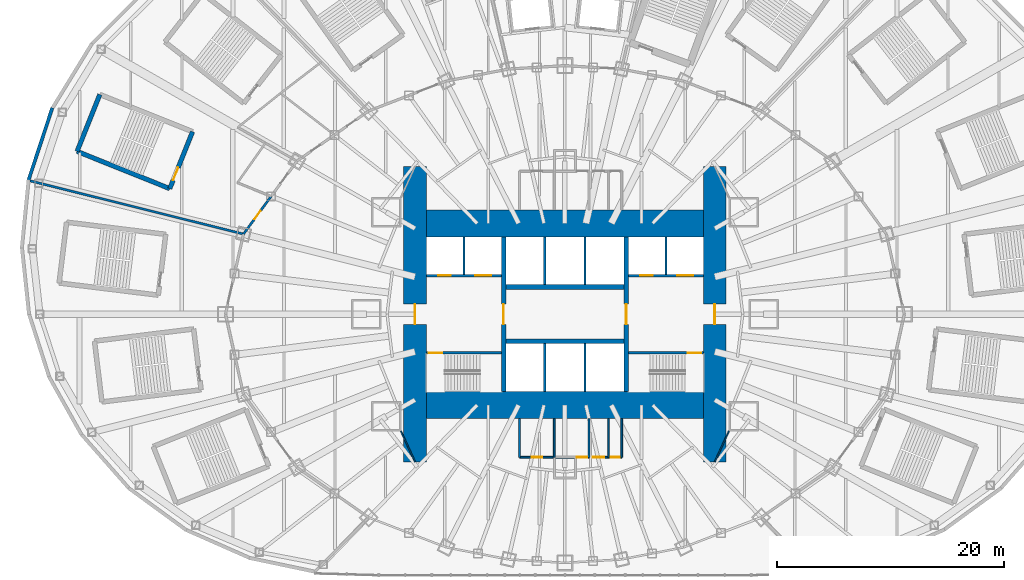
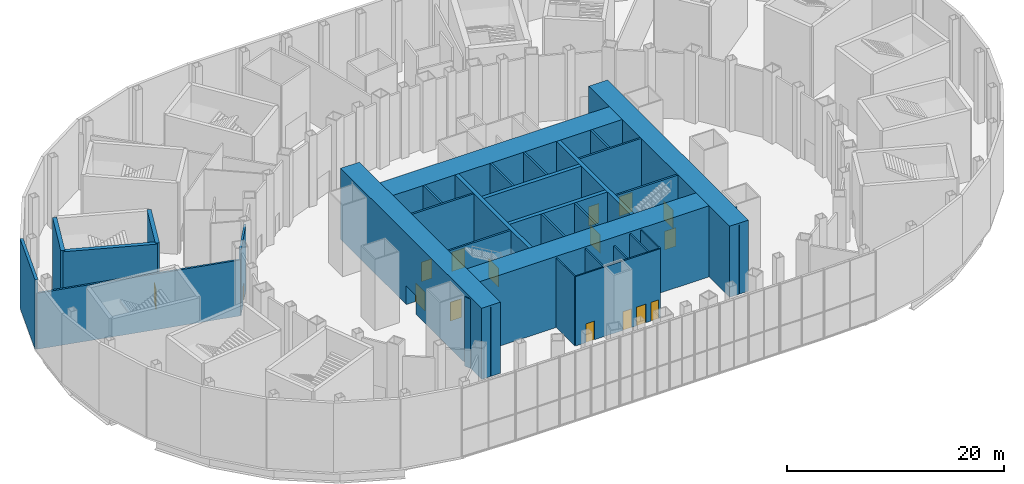
# One storey, part 14 of 74: 32 walls, 16 doors, 16 openings.
"""IFC4 building model written with IfcOpenShell, lengths in metres."""

import ifcopenshell
import ifcopenshell.guid

model = None  # the IFC model being written
_history = None  # IfcOwnerHistory: only IFC2X3 demands one
_inside = {}  # id of a spatial element -> (the spatial element, [elements in it])
_under = {}  # id of a project, library or spatial element -> (it, [spatial elements below it])
_declared = {}  # id of a project -> (the project, [libraries it declares])
_typed = {}  # id of a type object -> (the type object, [elements of that type])
_made_of = {}  # id of a material, layer set ... -> (it, [elements and type objects made of it])


def new_model(schema):
    """Start an empty IFC model of exactly this schema.

    Asked for "IFC4X3", IfcOpenShell would pick the latest addendum, in which some entities
    have other attributes; the version numbers below select the first issue.
    IFC2X3 requires an IfcOwnerHistory on every rooted entity: one is made here for all.
    """
    global model, _history
    if schema == "IFC4X3":
        model = ifcopenshell.file(schema_version=(4, 3, 0, 0))
    else:
        model = ifcopenshell.file(schema=schema)
    _inside.clear()
    _under.clear()
    _declared.clear()
    _typed.clear()
    _made_of.clear()
    _history = None
    if model.schema == "IFC2X3":
        org = make("IfcOrganization", Name="unknown")
        user = make(
            "IfcPersonAndOrganization",
            ThePerson=make("IfcPerson", FamilyName="unknown"),
            TheOrganization=org,
        )
        app = make(
            "IfcApplication",
            ApplicationDeveloper=org,
            Version="unknown",
            ApplicationFullName="unknown",
            ApplicationIdentifier="unknown",
        )
        _history = make(
            "IfcOwnerHistory",
            OwningUser=user,
            OwningApplication=app,
            ChangeAction="ADDED",
            CreationDate=0,
        )
    return model


def make(cls, **values):
    """One entity of the class cls with the attributes given. An attribute that is None is left unset."""
    return model.create_entity(
        cls, **{name: value for name, value in values.items() if value is not None}
    )


def rooted(cls, **values):
    """An entity with a GlobalId (a new one), such as an element, a storey or a relation."""
    return make(cls, GlobalId=ifcopenshell.guid.new(), OwnerHistory=_history, **values)


def si_unit(unit_type, name, prefix=None):
    """IfcSIUnit, for example si_unit("LENGTHUNIT", "METRE", prefix="MILLI")."""
    return make("IfcSIUnit", UnitType=unit_type, Prefix=prefix, Name=name)


def assignment(units):
    """IfcUnitAssignment: the units of a project."""
    return None if units is None else make("IfcUnitAssignment", Units=units)


def point(xyz):
    """IfcCartesianPoint."""
    return None if xyz is None else make("IfcCartesianPoint", Coordinates=xyz)


def direction(xyz):
    """IfcDirection."""
    return None if xyz is None else make("IfcDirection", DirectionRatios=xyz)


def frame(location, z_axis=None, x_axis=None):
    """IfcAxis2Placement3D, a coordinate frame: its origin and axes. An axis left out is left unset."""
    return make(
        "IfcAxis2Placement3D",
        Location=point(location),
        Axis=direction(z_axis),
        RefDirection=direction(x_axis),
    )


def frame_2d(location, x_axis=None):
    """IfcAxis2Placement2D, a coordinate frame in the plane: its origin and x axis."""
    return make(
        "IfcAxis2Placement2D", Location=point(location), RefDirection=direction(x_axis)
    )


def origin():
    """The frame at (0, 0, 0) with its axes left unset."""
    return frame((0.0, 0.0, 0.0))


def place(relative_to, where):
    """IfcLocalPlacement: puts the frame where relative to a parent placement (None: the world)."""
    return make(
        "IfcLocalPlacement", PlacementRelTo=relative_to, RelativePlacement=where
    )


def context(
    kind, dimensions, precision=None, world=None, true_north=None, identifier=None
):
    """IfcGeometricRepresentationContext, for example the 3D "Model" context."""
    return make(
        "IfcGeometricRepresentationContext",
        ContextIdentifier=identifier,
        ContextType=kind,
        CoordinateSpaceDimension=dimensions,
        Precision=precision,
        WorldCoordinateSystem=world,
        TrueNorth=true_north,
    )


def subcontext(parent, identifier, kind, view, scale=None):
    """IfcGeometricRepresentationSubContext, for example "Body" below "Model"."""
    return make(
        "IfcGeometricRepresentationSubContext",
        ContextIdentifier=identifier,
        ContextType=kind,
        ParentContext=parent,
        TargetScale=scale,
        TargetView=view,
    )


def project(units=None, contexts=None):
    """IfcProject with its units and contexts."""
    return rooted(
        "IfcProject",
        Name="project",
        RepresentationContexts=contexts,
        UnitsInContext=assignment(units),
    )


def spatial(cls, under=None, at=None, **own):
    """A site, building, storey or space (cls), placed at a placement, below another one or the project."""
    s = rooted(cls, ObjectPlacement=at, **own)
    if under is not None:
        _under.setdefault(under.id(), (under, []))[1].append(s)
    return s


def profile(cls, at=None, kind="AREA", **sizes):
    """A parametric profile (cls). Its sizes go by their IFC names, for example OverallWidth=200.0."""
    return make(cls, ProfileType=kind, Position=at, **sizes)


def rectangle(**sizes):
    """IfcRectangleProfileDef."""
    return profile("IfcRectangleProfileDef", **sizes)


def extrude(swept, where, along, depth):
    """IfcExtrudedAreaSolid: the profile swept, set in the frame where, extruded along a direction by depth."""
    return make(
        "IfcExtrudedAreaSolid",
        SweptArea=swept,
        Position=where,
        ExtrudedDirection=direction(along),
        Depth=depth,
    )


def shape(context_of_items, identifier, shape_type, items):
    """IfcShapeRepresentation: the items that make up one representation, for example the "Body"."""
    return make(
        "IfcShapeRepresentation",
        ContextOfItems=context_of_items,
        RepresentationIdentifier=identifier,
        RepresentationType=shape_type,
        Items=items,
    )


def material(Name=None, Category=None):
    """IfcMaterial."""
    return make("IfcMaterial", Name=Name, Category=Category)


def layer(
    of_material, thickness, ventilated=None, Name=None, Category=None, Priority=None
):
    """IfcMaterialLayer: one layer of a wall or slab, of a material (None: an air gap)."""
    return make(
        "IfcMaterialLayer",
        Material=of_material,
        LayerThickness=thickness,
        IsVentilated=ventilated,
        Name=Name,
        Category=Category,
        Priority=Priority,
    )


def layer_set(layers, Name=None):
    """IfcMaterialLayerSet."""
    return make("IfcMaterialLayerSet", MaterialLayers=layers, LayerSetName=Name)


def made_of(thing, what):
    """Note that an element or type object is made of a material, layer set ...; save() writes the relation."""
    if what is not None:
        _made_of.setdefault(what.id(), (what, []))[1].append(thing)
    return thing


def type_object(cls, material=None, **own):
    """A type object (cls), such as IfcWallType, which elements share."""
    return made_of(rooted(cls, **own), material)


def element(
    cls,
    number,
    at=None,
    inside=None,
    cuts=None,
    type_object=None,
    material=None,
    context=None,
    identifier="Body",
    shape_type=None,
    held_by="IfcProductDefinitionShape",
    body=None,
    shapes=None,
    **own,
):
    """One element of the class cls, such as IfcWall. Its Tag is "e" and its number.

    at: its placement. inside: the storey or other place that contains it. cuts: it is an
    opening in that element (IfcRelVoidsElement). A single representation is given by context,
    identifier, shape_type and body (its items); several are given by shapes. held_by: the class
    of the entity that holds the representations. save() writes the other relations.
    """
    e = rooted(cls, Tag="e%d" % number, ObjectPlacement=at, **own)
    if body is not None:
        shapes = [shape(context, identifier, shape_type, body)]
    if shapes is not None:
        e.Representation = make(held_by, Representations=shapes)
    if inside is not None:
        _inside.setdefault(inside.id(), (inside, []))[1].append(e)
    if cuts is not None:
        rooted(
            "IfcRelVoidsElement", RelatingBuildingElement=cuts, RelatedOpeningElement=e
        )
    if type_object is not None:
        _typed.setdefault(type_object.id(), (type_object, []))[1].append(e)
    return made_of(e, material)


def fill(opening, filler):
    """IfcRelFillsElement: the door or window that sits in an opening."""
    return rooted(
        "IfcRelFillsElement",
        RelatingOpeningElement=opening,
        RelatedBuildingElement=filler,
    )


def aggregate(whole, parts):
    """IfcRelAggregates: a whole, such as a stair, and the parts it consists of."""
    return rooted("IfcRelAggregates", RelatingObject=whole, RelatedObjects=parts)


def save(model, path):
    """Write the relations noted so far, then the file.

    IfcRelAggregates (storeys below a building ...), IfcRelContainedInSpatialStructure (elements
    in a storey), IfcRelDefinesByType, IfcRelAssociatesMaterial and IfcRelDeclares: one each for
    every whole, place, type object, material and project.
    """
    for whole, parts in _under.values():
        aggregate(whole, parts)
    for where, things in _inside.values():
        rooted(
            "IfcRelContainedInSpatialStructure",
            RelatedElements=things,
            RelatingStructure=where,
        )
    for kind, things in _typed.values():
        rooted("IfcRelDefinesByType", RelatedObjects=things, RelatingType=kind)
    for what, things in _made_of.values():
        rooted("IfcRelAssociatesMaterial", RelatedObjects=things, RelatingMaterial=what)
    for by, libraries in _declared.values():
        rooted("IfcRelDeclares", RelatingContext=by, RelatedDefinitions=libraries)
    model.write(path)


model = new_model("IFC4")

# Units and contexts
model_context = context("Model", 3, precision=1e-05, world=origin(), true_north=direction((0.0, 1.0)))
body_context = subcontext(model_context, "Body", "Model", "MODEL_VIEW")
ifc_project = project(units=[si_unit("LENGTHUNIT", "METRE"), si_unit("AREAUNIT", "SQUARE_METRE"), si_unit("VOLUMEUNIT", "CUBIC_METRE"), si_unit("PLANEANGLEUNIT", "RADIAN"), si_unit("MASSUNIT", "GRAM", prefix="KILO")], contexts=[model_context])

# Site, building, storey
site_placement = place(None, origin())
site = spatial("IfcSite", under=ifc_project, at=site_placement, CompositionType="ELEMENT")
building_placement = place(site_placement, origin())
building = spatial("IfcBuilding", under=site, at=building_placement, Name="Lantaw Convention Tower", CompositionType="ELEMENT")
storey_placement = place(building_placement, frame((0.0, 0.0, 6.5)))
storey = spatial("IfcBuildingStorey", under=building, at=storey_placement, Name="L01", CompositionType="ELEMENT", Elevation=6.5)

# Wall, opening, door
ifc_material_1 = material(Name="Concrete C60/75", Category="concrete")
ifc_layer_1 = layer(ifc_material_1, 0.199951171875)
ifc_layer_set_1 = layer_set([ifc_layer_1], Name="Core wall 200")
wall_type_1 = type_object("IfcWallType", Name="Core wall 200", PredefinedType="SHEAR", material=ifc_layer_set_1)
wall_1_placement = place(storey_placement, frame((5.60009765625, -3.39990234375, 0.0), z_axis=(0.0, 0.0, 1.0), x_axis=(1.0, 0.0, 0.0)))
wall_1 = element("IfcWall", 1, at=wall_1_placement, inside=storey, type_object=wall_type_1, Name="Core wall ES", PredefinedType="SHEAR", context=body_context, shape_type="SweptSolid", body=[
    extrude(rectangle(XDim=6.599853515625, YDim=0.199951171875, at=frame_2d((3.2998046875, 0.0))), origin(), (0.0, 0.0, 1.0), 8.0),
])
opening_1_placement = place(wall_1_placement, frame((5.199951171875, 0.0, 0.0)))
opening_1 = element("IfcOpeningElement", 2, at=opening_1_placement, cuts=wall_1, Name="Opening L01.03", PredefinedType="OPENING", context=body_context, shape_type="SweptSolid", body=[
    extrude(rectangle(XDim=1.199951171875, YDim=2.10009765625, at=frame_2d((0.60009765625, 1.050048828125))), frame((0.0, 0.10986328125, 0.0), z_axis=(0.0, -1.0, 0.0), x_axis=(1.0, 0.0, 0.0)), (0.0, 0.0, 1.0), 0.219970703125),
])
ifc_material_2 = material(Name="Steel, fire rated", Category="steel")
door_type_1 = type_object("IfcDoorType", Name="Stair door FD90", OperationType="SINGLE_SWING_RIGHT", PredefinedType="DOOR", material=ifc_material_2)
door_1_placement = place(opening_1_placement, origin())
door_1 = element("IfcDoor", 3, at=door_1_placement, inside=storey, type_object=door_type_1, Name="Exit stair door", OperationType="SINGLE_SWING_RIGHT", OverallHeight=2.10009765625, OverallWidth=1.199951171875, PredefinedType="DOOR", context=body_context, shape_type="SweptSolid", body=[
    extrude(rectangle(XDim=1.199951171875, YDim=2.10009765625, at=frame_2d((0.60009765625, 1.050048828125))), frame((0.0, 0.02490234375, 0.0), z_axis=(0.0, -1.0, 0.0), x_axis=(1.0, 0.0, 0.0)), (0.0, 0.0, 1.0), 0.050048828125),
])
fill(opening_1, door_1)

wall_2_placement = place(storey_placement, frame((-5.60009765625, -3.39990234375, 0.0), z_axis=(0.0, 0.0, 1.0), x_axis=(-1.0, 0.0, 0.0)))
wall_2 = element("IfcWall", 4, at=wall_2_placement, inside=storey, type_object=wall_type_1, Name="Core wall WS", PredefinedType="SHEAR", context=body_context, shape_type="SweptSolid", body=[
    extrude(rectangle(XDim=6.599853515625, YDim=0.199951171875, at=frame_2d((3.2998046875, 0.0))), origin(), (0.0, 0.0, 1.0), 8.0),
])
opening_2_placement = place(wall_2_placement, frame((5.199951171875, 0.0, 0.0)))
opening_2 = element("IfcOpeningElement", 5, at=opening_2_placement, cuts=wall_2, Name="Opening L01.04", PredefinedType="OPENING", context=body_context, shape_type="SweptSolid", body=[
    extrude(rectangle(XDim=1.199951171875, YDim=2.10009765625, at=frame_2d((0.60009765625, 1.050048828125))), frame((0.0, 0.10986328125, 0.0), z_axis=(0.0, -1.0, 0.0), x_axis=(1.0, 0.0, 0.0)), (0.0, 0.0, 1.0), 0.219970703125),
])
door_2_placement = place(opening_2_placement, origin())
door_2 = element("IfcDoor", 6, at=door_2_placement, inside=storey, type_object=door_type_1, Name="Exit stair door", OperationType="SINGLE_SWING_RIGHT", OverallHeight=2.10009765625, OverallWidth=1.199951171875, PredefinedType="DOOR", context=body_context, shape_type="SweptSolid", body=[
    extrude(rectangle(XDim=1.199951171875, YDim=2.10009765625, at=frame_2d((0.60009765625, 1.050048828125))), frame((0.0, 0.02490234375, 0.0), z_axis=(0.0, -1.0, 0.0), x_axis=(1.0, 0.0, 0.0)), (0.0, 0.0, 1.0), 0.050048828125),
])
fill(opening_2, door_2)

ifc_layer_2 = layer(ifc_material_1, 2.0)
ifc_layer_set_2 = layer_set([ifc_layer_2], Name="Core wall 2000")
wall_type_2 = type_object("IfcWallType", Name="Core wall 2000", PredefinedType="SHEAR", material=ifc_layer_set_2)
wall_3_placement = place(storey_placement, frame((13.199951171875, -13.0, 0.0), z_axis=(0.0, 0.0, 1.0), x_axis=(0.0, 1.0, 0.0)))
wall_3 = element("IfcWall", 7, at=wall_3_placement, inside=storey, type_object=wall_type_2, Name="Core wall E", PredefinedType="SHEAR", context=body_context, shape_type="SweptSolid", body=[
    extrude(rectangle(XDim=26.0, YDim=2.0, at=frame_2d((13.0, 0.0))), origin(), (0.0, 0.0, 1.0), 8.0),
])
opening_3_placement = place(wall_3_placement, frame((12.10009765625, 0.0, 0.0)))
opening_3 = element("IfcOpeningElement", 8, at=opening_3_placement, cuts=wall_3, Name="Opening L01.05", PredefinedType="OPENING", context=body_context, shape_type="SweptSolid", body=[
    extrude(rectangle(XDim=1.800048828125, YDim=2.10009765625, at=frame_2d((0.89990234375, 1.050048828125))), frame((0.0, 1.010009765625, 0.0), z_axis=(0.0, -1.0, 0.0), x_axis=(1.0, 0.0, 0.0)), (0.0, 0.0, 1.0), 2.02001953125),
])
door_type_2 = type_object("IfcDoorType", Name="Lobby double door FD90", OperationType="DOUBLE_DOOR_DOUBLE_SWING", PredefinedType="DOOR", material=ifc_material_2)
door_3_placement = place(opening_3_placement, origin())
door_3 = element("IfcDoor", 9, at=door_3_placement, inside=storey, type_object=door_type_2, Name="Firefighting lobby door", OperationType="DOUBLE_DOOR_DOUBLE_SWING", OverallHeight=2.10009765625, OverallWidth=1.800048828125, PredefinedType="DOOR", context=body_context, shape_type="SweptSolid", body=[
    extrude(rectangle(XDim=1.800048828125, YDim=2.10009765625, at=frame_2d((0.89990234375, 1.050048828125))), frame((0.0, 0.02490234375, 0.0), z_axis=(0.0, -1.0, 0.0), x_axis=(1.0, 0.0, 0.0)), (0.0, 0.0, 1.0), 0.050048828125),
])
fill(opening_3, door_3)

wall_4_placement = place(storey_placement, frame((-13.199951171875, 13.0, 0.0), z_axis=(0.0, 0.0, 1.0), x_axis=(0.0, -1.0, 0.0)))
wall_4 = element("IfcWall", 10, at=wall_4_placement, inside=storey, type_object=wall_type_2, Name="Core wall W", PredefinedType="SHEAR", context=body_context, shape_type="SweptSolid", body=[
    extrude(rectangle(XDim=26.0, YDim=2.0, at=frame_2d((13.0, 0.0))), origin(), (0.0, 0.0, 1.0), 8.0),
])
opening_4_placement = place(wall_4_placement, frame((12.10009765625, 0.0, 0.0)))
opening_4 = element("IfcOpeningElement", 11, at=opening_4_placement, cuts=wall_4, Name="Opening L01.06", PredefinedType="OPENING", context=body_context, shape_type="SweptSolid", body=[
    extrude(rectangle(XDim=1.800048828125, YDim=2.10009765625, at=frame_2d((0.89990234375, 1.050048828125))), frame((0.0, 1.010009765625, 0.0), z_axis=(0.0, -1.0, 0.0), x_axis=(1.0, 0.0, 0.0)), (0.0, 0.0, 1.0), 2.02001953125),
])
door_4_placement = place(opening_4_placement, origin())
door_4 = element("IfcDoor", 12, at=door_4_placement, inside=storey, type_object=door_type_2, Name="Firefighting lobby door", OperationType="DOUBLE_DOOR_DOUBLE_SWING", OverallHeight=2.10009765625, OverallWidth=1.800048828125, PredefinedType="DOOR", context=body_context, shape_type="SweptSolid", body=[
    extrude(rectangle(XDim=1.800048828125, YDim=2.10009765625, at=frame_2d((0.89990234375, 1.050048828125))), frame((0.0, 0.02490234375, 0.0), z_axis=(0.0, -1.0, 0.0), x_axis=(1.0, 0.0, 0.0)), (0.0, 0.0, 1.0), 0.050048828125),
])
fill(opening_4, door_4)

# Walls
ifc_layer_3 = layer(ifc_material_1, 2.39990234375)
ifc_layer_set_3 = layer_set([ifc_layer_3], Name="Core wall 2400")
wall_type_3 = type_object("IfcWallType", Name="Core wall 2400", PredefinedType="SHEAR", material=ifc_layer_set_3)
for number, where, z_axis, x_axis, name in (
    (13, (-12.199951171875, -8.0, 0.0), (0.0, 0.0, 1.0), (1.0, 0.0, 0.0), "Core wall S"),
    (14, (12.199951171875, 8.0, 0.0), (0.0, 0.0, 1.0), (-1.0, 0.0, 0.0), "Core wall N"),
):
    element("IfcWall", number, at=place(storey_placement, frame(where, z_axis=z_axis, x_axis=x_axis)), inside=storey, type_object=wall_type_3, Name=name, PredefinedType="SHEAR", context=body_context, shape_type="SweptSolid", body=[
        extrude(rectangle(XDim=24.39990234375, YDim=2.39990234375, at=frame_2d((12.199951171875, 0.0))), origin(), (0.0, 0.0, 1.0), 8.0),
    ])

# Wall, opening, door
ifc_layer_4 = layer(ifc_material_1, 0.39990234375)
ifc_layer_set_4 = layer_set([ifc_layer_4], Name="Core wall 400")
wall_type_4 = type_object("IfcWallType", Name="Core wall 400", PredefinedType="SHEAR", material=ifc_layer_set_4)
wall_5_placement = place(storey_placement, frame((5.39990234375, -6.800048828125, 0.0), z_axis=(0.0, 0.0, 1.0), x_axis=(0.0, 1.0, 0.0)))
wall_5 = element("IfcWall", 15, at=wall_5_placement, inside=storey, type_object=wall_type_4, Name="Core wall XE", PredefinedType="SHEAR", context=body_context, shape_type="SweptSolid", body=[
    extrude(rectangle(XDim=13.60009765625, YDim=0.39990234375, at=frame_2d((6.800048828125, 0.0))), origin(), (0.0, 0.0, 1.0), 8.0),
])
opening_5_placement = place(wall_5_placement, frame((5.89990234375, 0.0, 0.0)))
opening_5 = element("IfcOpeningElement", 16, at=opening_5_placement, cuts=wall_5, Name="Opening L01.01", PredefinedType="OPENING", context=body_context, shape_type="SweptSolid", body=[
    extrude(rectangle(XDim=1.800048828125, YDim=2.10009765625, at=frame_2d((0.89990234375, 1.050048828125))), frame((0.0, 0.2099609375, 0.0), z_axis=(0.0, -1.0, 0.0), x_axis=(1.0, 0.0, 0.0)), (0.0, 0.0, 1.0), 0.419921875),
])
door_5_placement = place(opening_5_placement, origin())
door_5 = element("IfcDoor", 17, at=door_5_placement, inside=storey, type_object=door_type_2, Name="Lift lobby door", OperationType="DOUBLE_DOOR_DOUBLE_SWING", OverallHeight=2.10009765625, OverallWidth=1.800048828125, PredefinedType="DOOR", context=body_context, shape_type="SweptSolid", body=[
    extrude(rectangle(XDim=1.800048828125, YDim=2.10009765625, at=frame_2d((0.89990234375, 1.050048828125))), frame((0.0, 0.02490234375, 0.0), z_axis=(0.0, -1.0, 0.0), x_axis=(1.0, 0.0, 0.0)), (0.0, 0.0, 1.0), 0.050048828125),
])
fill(opening_5, door_5)

wall_6_placement = place(storey_placement, frame((-5.39990234375, 6.800048828125, 0.0), z_axis=(0.0, 0.0, 1.0), x_axis=(0.0, -1.0, 0.0)))
wall_6 = element("IfcWall", 18, at=wall_6_placement, inside=storey, type_object=wall_type_4, Name="Core wall XW", PredefinedType="SHEAR", context=body_context, shape_type="SweptSolid", body=[
    extrude(rectangle(XDim=13.60009765625, YDim=0.39990234375, at=frame_2d((6.800048828125, 0.0))), origin(), (0.0, 0.0, 1.0), 8.0),
])
opening_6_placement = place(wall_6_placement, frame((5.89990234375, 0.0, 0.0)))
opening_6 = element("IfcOpeningElement", 19, at=opening_6_placement, cuts=wall_6, Name="Opening L01.02", PredefinedType="OPENING", context=body_context, shape_type="SweptSolid", body=[
    extrude(rectangle(XDim=1.800048828125, YDim=2.10009765625, at=frame_2d((0.89990234375, 1.050048828125))), frame((0.0, 0.2099609375, 0.0), z_axis=(0.0, -1.0, 0.0), x_axis=(1.0, 0.0, 0.0)), (0.0, 0.0, 1.0), 0.419921875),
])
door_6_placement = place(opening_6_placement, origin())
door_6 = element("IfcDoor", 20, at=door_6_placement, inside=storey, type_object=door_type_2, Name="Lift lobby door", OperationType="DOUBLE_DOOR_DOUBLE_SWING", OverallHeight=2.10009765625, OverallWidth=1.800048828125, PredefinedType="DOOR", context=body_context, shape_type="SweptSolid", body=[
    extrude(rectangle(XDim=1.800048828125, YDim=2.10009765625, at=frame_2d((0.89990234375, 1.050048828125))), frame((0.0, 0.02490234375, 0.0), z_axis=(0.0, -1.0, 0.0), x_axis=(1.0, 0.0, 0.0)), (0.0, 0.0, 1.0), 0.050048828125),
])
fill(opening_6, door_6)

# Walls
for number, where, z_axis, x_axis, name in (
    (21, (-5.199951171875, -2.39990234375, 0.0), (0.0, 0.0, 1.0), (1.0, 0.0, 0.0), "Core wall BS"),
    (22, (5.199951171875, 2.39990234375, 0.0), (0.0, 0.0, 1.0), (-1.0, 0.0, 0.0), "Core wall BN"),
):
    element("IfcWall", number, at=place(storey_placement, frame(where, z_axis=z_axis, x_axis=x_axis)), inside=storey, type_object=wall_type_4, Name=name, PredefinedType="SHEAR", context=body_context, shape_type="SweptSolid", body=[
        extrude(rectangle(XDim=10.39990234375, YDim=0.39990234375, at=frame_2d((5.199951171875, 0.0))), origin(), (0.0, 0.0, 1.0), 8.0),
    ])
ifc_material_3 = material(Name="Gypsum board on steel studs, acoustic", Category="steel")
ifc_layer_5 = layer(ifc_material_3, 0.10009765625)
ifc_layer_set_5 = layer_set([ifc_layer_5], Name="Office partition 100")
wall_type_5 = type_object("IfcWallType", Name="Office partition 100", PredefinedType="PARTITIONING", material=ifc_layer_set_5)
for number, where, z_axis, x_axis, name in (
    (23, (13.199951171875, -13.0, 0.0), (0.0, 0.0, 1.0), (0.420129824888, 0.907464010437, 0.0), "Office partition 100"),
    (24, (-13.199951171875, -13.0, 0.0), (0.0, 0.0, 1.0), (-0.420129824888, 0.907464010437, 0.0), "Office partition 100"),
):
    element("IfcWall", number, at=place(storey_placement, frame(where, z_axis=z_axis, x_axis=x_axis)), inside=storey, type_object=wall_type_5, Name=name, PredefinedType="PARTITIONING", context=body_context, shape_type="SweptSolid", body=[
        extrude(rectangle(XDim=2.975341796875, YDim=0.10009765625, at=frame_2d((1.48779296875, 0.0))), origin(), (0.0, 0.0, 1.0), 7.800048828125),
    ])
ifc_material_4 = material(Name="Precast concrete panel, pale aluminium rainscreen", Category="concrete")
ifc_layer_6 = layer(ifc_material_4, 0.300048828125)
ifc_layer_set_6 = layer_set([ifc_layer_6], Name="Podium external wall 300")
wall_type_6 = type_object("IfcWallType", Name="Podium external wall 300", PredefinedType="SOLIDWALL", material=ifc_layer_set_6)
wall_7_placement = place(storey_placement, frame((-45.158203125, 18.181640625, 0.0), z_axis=(0.0, 0.0, 1.0), x_axis=(-0.31263149373, -0.94987449125, 0.0)))
element("IfcWall", 25, at=wall_7_placement, inside=storey, type_object=wall_type_6, Name="Podium facade wall", PredefinedType="SOLIDWALL", context=body_context, shape_type="SweptSolid", body=[
    extrude(rectangle(XDim=6.7861328125, YDim=0.300048828125, at=frame_2d((3.39306640625, 0.0))), origin(), (0.0, 0.0, 1.0), 7.800048828125),
])

# Wall, opening, door
ifc_material_5 = material(Name="Concrete blockwork", Category="masonry")
ifc_layer_7 = layer(ifc_material_5, 0.199951171875)
ifc_layer_set_7 = layer_set([ifc_layer_7], Name="Podium partition 200")
wall_type_7 = type_object("IfcWallType", Name="Podium partition 200", PredefinedType="SOLIDWALL", material=ifc_layer_set_7)
wall_8_placement = place(storey_placement, frame((-25.8779296875, 10.388427734375, 0.0), z_axis=(0.0, 0.0, 1.0), x_axis=(-0.591255937291, -0.806483984105, 0.0)))
wall_8 = element("IfcWall", 26, at=wall_8_placement, inside=storey, type_object=wall_type_7, Name="Podium partition 200", PredefinedType="SOLIDWALL", context=body_context, shape_type="SweptSolid", body=[
    extrude(rectangle(XDim=4.126708984375, YDim=0.199951171875, at=frame_2d((2.0634765625, 0.0))), origin(), (0.0, 0.0, 1.0), 7.396240234375),
])
opening_7_placement = place(wall_8_placement, frame((1.61328125, 0.0, 0.0)))
opening_7 = element("IfcOpeningElement", 27, at=opening_7_placement, cuts=wall_8, Name="Opening L01.19", PredefinedType="OPENING", context=body_context, shape_type="SweptSolid", body=[
    extrude(rectangle(XDim=0.89990234375, YDim=2.10009765625, at=frame_2d((0.449951171875, 1.050048828125))), frame((0.0, 0.10986328125, 0.0), z_axis=(0.0, -1.0, 0.0), x_axis=(1.0, 0.0, 0.0)), (0.0, 0.0, 1.0), 0.219970703125),
])
ifc_material_6 = material(Name="Timber", Category="wood")
door_type_3 = type_object("IfcDoorType", Name="Store door 900", OperationType="SINGLE_SWING_LEFT", PredefinedType="DOOR", material=ifc_material_6)
door_7_placement = place(opening_7_placement, origin())
door_7 = element("IfcDoor", 28, at=door_7_placement, inside=storey, type_object=door_type_3, Name="Hall store door", OperationType="SINGLE_SWING_LEFT", OverallHeight=2.10009765625, OverallWidth=0.89990234375, PredefinedType="DOOR", context=body_context, shape_type="SweptSolid", body=[
    extrude(rectangle(XDim=0.89990234375, YDim=2.10009765625, at=frame_2d((0.449951171875, 1.050048828125))), frame((0.0, 0.02490234375, 0.0), z_axis=(0.0, -1.0, 0.0), x_axis=(1.0, 0.0, 0.0)), (0.0, 0.0, 1.0), 0.050048828125),
])
fill(opening_7, door_7)

# Walls
wall_9_placement = place(storey_placement, frame((-28.31787109375, 7.060302734375, 0.0), z_axis=(0.0, 0.0, 1.0), x_axis=(-0.970227758662, 0.242194335859, 0.0)))
element("IfcWall", 29, at=wall_9_placement, inside=storey, type_object=wall_type_7, Name="Podium partition 200", PredefinedType="SOLIDWALL", context=body_context, shape_type="SweptSolid", body=[
    extrude(rectangle(XDim=19.525634765625, YDim=0.199951171875, at=frame_2d((9.7626953125, 0.0))), origin(), (0.0, 0.0, 1.0), 6.300048828125),
])
ifc_material_7 = material(Name="Concrete blockwork, fire rated", Category="masonry")
ifc_layer_8 = layer(ifc_material_7, 0.199951171875)
ifc_layer_set_8 = layer_set([ifc_layer_8], Name="Shaft wall 200")
wall_type_8 = type_object("IfcWallType", Name="Shaft wall 200", PredefinedType="SOLIDWALL", material=ifc_layer_set_8)
for number, where, z_axis, x_axis, name in (
    (30, (-1.7666015625, 2.60009765625, 0.0), (0.0, 0.0, 1.0), (0.0, 1.0, 0.0), "Shaft wall DN1"),
    (31, (1.7666015625, 2.60009765625, 0.0), (0.0, 0.0, 1.0), (0.0, 1.0, 0.0), "Shaft wall DN2"),
):
    element("IfcWall", number, at=place(storey_placement, frame(where, z_axis=z_axis, x_axis=x_axis)), inside=storey, type_object=wall_type_8, Name=name, PredefinedType="SOLIDWALL", context=body_context, shape_type="SweptSolid", body=[
        extrude(rectangle(XDim=4.199951171875, YDim=0.199951171875, at=frame_2d((2.10009765625, 0.0))), origin(), (0.0, 0.0, 1.0), 8.0),
    ])

# Wall, openings, doors
wall_10_placement = place(storey_placement, frame((12.199951171875, 3.39990234375, 0.0), z_axis=(0.0, 0.0, 1.0), x_axis=(-1.0, 0.0, 0.0)))
wall_10 = element("IfcWall", 32, at=wall_10_placement, inside=storey, type_object=wall_type_8, Name="Shaft wall EN", PredefinedType="SOLIDWALL", context=body_context, shape_type="SweptSolid", body=[
    extrude(rectangle(XDim=6.599853515625, YDim=0.199951171875, at=frame_2d((3.2998046875, 0.0))), origin(), (0.0, 0.0, 1.0), 8.0),
])
opening_8_placement = place(wall_10_placement, frame((4.449951171875, 0.0, 0.0)))
opening_8 = element("IfcOpeningElement", 33, at=opening_8_placement, cuts=wall_10, Name="Opening L01.09", PredefinedType="OPENING", context=body_context, shape_type="SweptSolid", body=[
    extrude(rectangle(XDim=1.10009765625, YDim=2.199951171875, at=frame_2d((0.550048828125, 1.10009765625))), frame((0.0, 0.10986328125, 0.0), z_axis=(0.0, -1.0, 0.0), x_axis=(1.0, 0.0, 0.0)), (0.0, 0.0, 1.0), 0.219970703125),
])
opening_9_placement = place(wall_10_placement, frame((0.89990234375, 0.0, 0.0)))
opening_9 = element("IfcOpeningElement", 34, at=opening_9_placement, cuts=wall_10, Name="Opening L01.10", PredefinedType="OPENING", context=body_context, shape_type="SweptSolid", body=[
    extrude(rectangle(XDim=1.39990234375, YDim=2.199951171875, at=frame_2d((0.699951171875, 1.10009765625))), frame((0.0, 0.10986328125, 0.0), z_axis=(0.0, -1.0, 0.0), x_axis=(1.0, 0.0, 0.0)), (0.0, 0.0, 1.0), 0.219970703125),
])
ifc_material_8 = material(Name="Stainless steel", Category="steel")
door_type_4 = type_object("IfcDoorType", Name="Lift landing door 1100", OperationType="DOUBLE_DOOR_SLIDING", PredefinedType="DOOR", material=ifc_material_8)
door_8_placement = place(opening_8_placement, origin())
door_8 = element("IfcDoor", 35, at=door_8_placement, inside=storey, type_object=door_type_4, Name="Lift landing door FF2", OperationType="DOUBLE_DOOR_SLIDING", OverallHeight=2.199951171875, OverallWidth=1.10009765625, PredefinedType="DOOR", context=body_context, shape_type="SweptSolid", body=[
    extrude(rectangle(XDim=1.10009765625, YDim=2.199951171875, at=frame_2d((0.550048828125, 1.10009765625))), frame((0.0, 0.02490234375, 0.0), z_axis=(0.0, -1.0, 0.0), x_axis=(1.0, 0.0, 0.0)), (0.0, 0.0, 1.0), 0.050048828125),
])
fill(opening_8, door_8)
door_type_5 = type_object("IfcDoorType", Name="Lift landing door 1400", OperationType="DOUBLE_DOOR_SLIDING", PredefinedType="DOOR", material=ifc_material_8)
door_9_placement = place(opening_9_placement, origin())
door_9 = element("IfcDoor", 36, at=door_9_placement, inside=storey, type_object=door_type_5, Name="Lift landing door SV2", OperationType="DOUBLE_DOOR_SLIDING", OverallHeight=2.199951171875, OverallWidth=1.39990234375, PredefinedType="DOOR", context=body_context, shape_type="SweptSolid", body=[
    extrude(rectangle(XDim=1.39990234375, YDim=2.199951171875, at=frame_2d((0.699951171875, 1.10009765625))), frame((0.0, 0.02490234375, 0.0), z_axis=(0.0, -1.0, 0.0), x_axis=(1.0, 0.0, 0.0)), (0.0, 0.0, 1.0), 0.050048828125),
])
fill(opening_9, door_9)

# Wall
wall_11_placement = place(storey_placement, frame((8.89990234375, 3.5, 0.0), z_axis=(0.0, 0.0, 1.0), x_axis=(0.0, 1.0, 0.0)))
element("IfcWall", 37, at=wall_11_placement, inside=storey, type_object=wall_type_8, Name="Shaft wall ED", PredefinedType="SOLIDWALL", context=body_context, shape_type="SweptSolid", body=[
    extrude(rectangle(XDim=3.300048828125, YDim=0.199951171875, at=frame_2d((1.64990234375, 0.0))), origin(), (0.0, 0.0, 1.0), 8.0),
])

# Wall, openings, doors
wall_12_placement = place(storey_placement, frame((-12.199951171875, 3.39990234375, 0.0), z_axis=(0.0, 0.0, 1.0), x_axis=(1.0, 0.0, 0.0)))
wall_12 = element("IfcWall", 38, at=wall_12_placement, inside=storey, type_object=wall_type_8, Name="Shaft wall WN", PredefinedType="SOLIDWALL", context=body_context, shape_type="SweptSolid", body=[
    extrude(rectangle(XDim=6.599853515625, YDim=0.199951171875, at=frame_2d((3.2998046875, 0.0))), origin(), (0.0, 0.0, 1.0), 8.0),
])
opening_10_placement = place(wall_12_placement, frame((1.050048828125, 0.0, 0.0)))
opening_10 = element("IfcOpeningElement", 39, at=opening_10_placement, cuts=wall_12, Name="Opening L01.07", PredefinedType="OPENING", context=body_context, shape_type="SweptSolid", body=[
    extrude(rectangle(XDim=1.10009765625, YDim=2.199951171875, at=frame_2d((0.550048828125, 1.10009765625))), frame((0.0, 0.10986328125, 0.0), z_axis=(0.0, -1.0, 0.0), x_axis=(1.0, 0.0, 0.0)), (0.0, 0.0, 1.0), 0.219970703125),
])
opening_11_placement = place(wall_12_placement, frame((4.300048828125, 0.0, 0.0)))
opening_11 = element("IfcOpeningElement", 40, at=opening_11_placement, cuts=wall_12, Name="Opening L01.08", PredefinedType="OPENING", context=body_context, shape_type="SweptSolid", body=[
    extrude(rectangle(XDim=1.39990234375, YDim=2.199951171875, at=frame_2d((0.699951171875, 1.10009765625))), frame((0.0, 0.10986328125, 0.0), z_axis=(0.0, -1.0, 0.0), x_axis=(1.0, 0.0, 0.0)), (0.0, 0.0, 1.0), 0.219970703125),
])
door_10_placement = place(opening_10_placement, origin())
door_10 = element("IfcDoor", 41, at=door_10_placement, inside=storey, type_object=door_type_4, Name="Lift landing door FF1", OperationType="DOUBLE_DOOR_SLIDING", OverallHeight=2.199951171875, OverallWidth=1.10009765625, PredefinedType="DOOR", context=body_context, shape_type="SweptSolid", body=[
    extrude(rectangle(XDim=1.10009765625, YDim=2.199951171875, at=frame_2d((0.550048828125, 1.10009765625))), frame((0.0, 0.02490234375, 0.0), z_axis=(0.0, -1.0, 0.0), x_axis=(1.0, 0.0, 0.0)), (0.0, 0.0, 1.0), 0.050048828125),
])
fill(opening_10, door_10)
door_11_placement = place(opening_11_placement, origin())
door_11 = element("IfcDoor", 42, at=door_11_placement, inside=storey, type_object=door_type_5, Name="Lift landing door SV1", OperationType="DOUBLE_DOOR_SLIDING", OverallHeight=2.199951171875, OverallWidth=1.39990234375, PredefinedType="DOOR", context=body_context, shape_type="SweptSolid", body=[
    extrude(rectangle(XDim=1.39990234375, YDim=2.199951171875, at=frame_2d((0.699951171875, 1.10009765625))), frame((0.0, 0.02490234375, 0.0), z_axis=(0.0, -1.0, 0.0), x_axis=(1.0, 0.0, 0.0)), (0.0, 0.0, 1.0), 0.050048828125),
])
fill(opening_11, door_11)

# Walls
wall_13_placement = place(storey_placement, frame((-8.89990234375, 3.5, 0.0), z_axis=(0.0, 0.0, 1.0), x_axis=(0.0, 1.0, 0.0)))
element("IfcWall", 43, at=wall_13_placement, inside=storey, type_object=wall_type_8, Name="Shaft wall WD", PredefinedType="SOLIDWALL", context=body_context, shape_type="SweptSolid", body=[
    extrude(rectangle(XDim=3.300048828125, YDim=0.199951171875, at=frame_2d((1.64990234375, 0.0))), origin(), (0.0, 0.0, 1.0), 8.0),
])
ifc_layer_9 = layer(ifc_material_7, 0.199951171875)
ifc_layer_set_9 = layer_set([ifc_layer_9], Name="Shaft wall 200 load-bearing")
wall_type_9 = type_object("IfcWallType", Name="Shaft wall 200 load-bearing", PredefinedType="SOLIDWALL", material=ifc_layer_set_9)
for number, where, z_axis, x_axis, name in (
    (44, (-1.7666015625, -2.60009765625, 0.0), (0.0, 0.0, 1.0), (0.0, -1.0, 0.0), "Shaft wall DS1"),
    (45, (1.7666015625, -2.60009765625, 0.0), (0.0, 0.0, 1.0), (0.0, -1.0, 0.0), "Shaft wall DS2"),
):
    element("IfcWall", number, at=place(storey_placement, frame(where, z_axis=z_axis, x_axis=x_axis)), inside=storey, type_object=wall_type_9, Name=name, PredefinedType="SOLIDWALL", context=body_context, shape_type="SweptSolid", body=[
        extrude(rectangle(XDim=4.199951171875, YDim=0.199951171875, at=frame_2d((2.10009765625, 0.0))), origin(), (0.0, 0.0, 1.0), 8.0),
    ])
ifc_material_9 = material(Name="Concrete C40/50, stair core", Category="concrete")
ifc_layer_10 = layer(ifc_material_9, 0.39990234375)
ifc_layer_set_10 = layer_set([ifc_layer_10], Name="Stair enclosure wall 400 EI 120")
wall_type_10 = type_object("IfcWallType", Name="Stair enclosure wall 400 EI 120", PredefinedType="SHEAR", material=ifc_layer_set_10)
wall_14_placement = place(storey_placement, frame((-40.966552734375, 19.35498046875, 0.0), z_axis=(0.0, 0.0, 1.0), x_axis=(-0.372544066459, -0.928014503414, 0.0)))
element("IfcWall", 46, at=wall_14_placement, inside=storey, type_object=wall_type_10, Name="Stair enclosure wall", PredefinedType="SHEAR", context=body_context, shape_type="SweptSolid", body=[
    extrude(rectangle(XDim=5.39990234375, YDim=0.39990234375, at=frame_2d((2.699951171875, 0.0))), origin(), (0.0, 0.0, 1.0), 8.0),
])
wall_15_placement = place(storey_placement, frame((-42.978271484375, 14.34375, 0.0), z_axis=(0.0, 0.0, 1.0), x_axis=(0.92801678004, -0.372538395288, 0.0)))
element("IfcWall", 47, at=wall_15_placement, inside=storey, type_object=wall_type_10, Name="Stair enclosure wall", PredefinedType="SHEAR", context=body_context, shape_type="SweptSolid", body=[
    extrude(rectangle(XDim=8.800048828125, YDim=0.39990234375, at=frame_2d((4.39990234375, 0.0))), origin(), (0.0, 0.0, 1.0), 8.0),
])

# Wall, opening, door
wall_16_placement = place(storey_placement, frame((-34.811767578125, 11.0654296875, 0.0), z_axis=(0.0, 0.0, 1.0), x_axis=(0.372544066459, 0.928014503414, 0.0)))
wall_16 = element("IfcWall", 48, at=wall_16_placement, inside=storey, type_object=wall_type_10, Name="Stair enclosure wall", PredefinedType="SHEAR", context=body_context, shape_type="SweptSolid", body=[
    extrude(rectangle(XDim=5.39990234375, YDim=0.39990234375, at=frame_2d((2.699951171875, 0.0))), origin(), (0.0, 0.0, 1.0), 8.0),
])
opening_12_placement = place(wall_16_placement, frame((0.800048828125, 0.0, 0.0)))
opening_12 = element("IfcOpeningElement", 49, at=opening_12_placement, cuts=wall_16, Name="Opening L01.P8", PredefinedType="OPENING", context=body_context, shape_type="SweptSolid", body=[
    extrude(rectangle(XDim=1.199951171875, YDim=2.10009765625, at=frame_2d((0.60009765625, 1.050048828125))), frame((0.0, 0.2099609375, 0.0), z_axis=(0.0, -1.0, 0.0), x_axis=(1.0, 0.0, 0.0)), (0.0, 0.0, 1.0), 0.419921875),
])
door_12_placement = place(opening_12_placement, origin())
door_12 = element("IfcDoor", 50, at=door_12_placement, inside=storey, type_object=door_type_1, Name="Exit stair door", OperationType="SINGLE_SWING_RIGHT", OverallHeight=2.10009765625, OverallWidth=1.199951171875, PredefinedType="DOOR", context=body_context, shape_type="SweptSolid", body=[
    extrude(rectangle(XDim=1.199951171875, YDim=2.10009765625, at=frame_2d((0.60009765625, 1.050048828125))), frame((0.0, 0.02490234375, 0.0), z_axis=(0.0, -1.0, 0.0), x_axis=(1.0, 0.0, 0.0)), (0.0, 0.0, 1.0), 0.050048828125),
])
fill(opening_12, door_12)

# Wall, openings, doors
ifc_layer_11 = layer(ifc_material_5, 0.14990234375)
ifc_layer_set_11 = layer_set([ifc_layer_11], Name="WC wall 150")
wall_type_11 = type_object("IfcWallType", Name="WC wall 150", PredefinedType="SOLIDWALL", material=ifc_layer_set_11)
wall_17_placement = place(storey_placement, frame((-4.0, -12.60009765625, 0.0), z_axis=(0.0, 0.0, 1.0), x_axis=(1.0, 0.0, 0.0)))
wall_17 = element("IfcWall", 51, at=wall_17_placement, inside=storey, type_object=wall_type_11, Name="WC wall 150", PredefinedType="SOLIDWALL", context=body_context, shape_type="SweptSolid", body=[
    extrude(rectangle(XDim=9.0, YDim=0.14990234375, at=frame_2d((4.5, 0.0))), origin(), (0.0, 0.0, 1.0), 7.800048828125),
])
opening_13_placement = place(wall_17_placement, frame((1.10009765625, 0.0, 0.0)))
opening_13 = element("IfcOpeningElement", 52, at=opening_13_placement, cuts=wall_17, Name="Opening L01.26", PredefinedType="OPENING", context=body_context, shape_type="SweptSolid", body=[
    extrude(rectangle(XDim=0.89990234375, YDim=2.10009765625, at=frame_2d((0.449951171875, 1.050048828125))), frame((0.0, 0.0849609375, 0.0), z_axis=(0.0, -1.0, 0.0), x_axis=(1.0, 0.0, 0.0)), (0.0, 0.0, 1.0), 0.169921875),
])
opening_14_placement = place(wall_17_placement, frame((5.06005859375, 0.0, 0.0)))
opening_14 = element("IfcOpeningElement", 53, at=opening_14_placement, cuts=wall_17, Name="Opening L01.27", PredefinedType="OPENING", context=body_context, shape_type="SweptSolid", body=[
    extrude(rectangle(XDim=0.89990234375, YDim=2.10009765625, at=frame_2d((0.449951171875, 1.050048828125))), frame((0.0, 0.0849609375, 0.0), z_axis=(0.0, -1.0, 0.0), x_axis=(1.0, 0.0, 0.0)), (0.0, 0.0, 1.0), 0.169921875),
])
opening_15_placement = place(wall_17_placement, frame((6.469970703125, 0.0, 0.0)))
opening_15 = element("IfcOpeningElement", 54, at=opening_15_placement, cuts=wall_17, Name="Opening L01.28", PredefinedType="OPENING", context=body_context, shape_type="SweptSolid", body=[
    extrude(rectangle(XDim=1.0, YDim=2.10009765625, at=frame_2d((0.5, 1.050048828125))), frame((0.0, 0.0849609375, 0.0), z_axis=(0.0, -1.0, 0.0), x_axis=(1.0, 0.0, 0.0)), (0.0, 0.0, 1.0), 0.169921875),
])
opening_16_placement = place(wall_17_placement, frame((8.030029296875, 0.0, 0.0)))
opening_16 = element("IfcOpeningElement", 55, at=opening_16_placement, cuts=wall_17, Name="Opening L01.29", PredefinedType="OPENING", context=body_context, shape_type="SweptSolid", body=[
    extrude(rectangle(XDim=0.800048828125, YDim=2.10009765625, at=frame_2d((0.39990234375, 1.050048828125))), frame((0.0, 0.0849609375, 0.0), z_axis=(0.0, -1.0, 0.0), x_axis=(1.0, 0.0, 0.0)), (0.0, 0.0, 1.0), 0.169921875),
])
door_type_6 = type_object("IfcDoorType", Name="Accessible WC door 1000", OperationType="SINGLE_SWING_LEFT", PredefinedType="DOOR", material=ifc_material_6)
door_13_placement = place(opening_15_placement, origin())
door_13 = element("IfcDoor", 56, at=door_13_placement, inside=storey, type_object=door_type_6, Name="Accessible WC door", OperationType="SINGLE_SWING_LEFT", OverallHeight=2.10009765625, OverallWidth=1.0, PredefinedType="DOOR", context=body_context, shape_type="SweptSolid", body=[
    extrude(rectangle(XDim=1.0, YDim=2.10009765625, at=frame_2d((0.5, 1.050048828125))), frame((0.0, 0.02490234375, 0.0), z_axis=(0.0, -1.0, 0.0), x_axis=(1.0, 0.0, 0.0)), (0.0, 0.0, 1.0), 0.050048828125),
])
fill(opening_15, door_13)
door_type_7 = type_object("IfcDoorType", Name="WC door 800", OperationType="SINGLE_SWING_LEFT", PredefinedType="DOOR", material=ifc_material_6)
door_14_placement = place(opening_16_placement, origin())
door_14 = element("IfcDoor", 57, at=door_14_placement, inside=storey, type_object=door_type_7, Name="Baby care room door", OperationType="SINGLE_SWING_LEFT", OverallHeight=2.10009765625, OverallWidth=0.800048828125, PredefinedType="DOOR", context=body_context, shape_type="SweptSolid", body=[
    extrude(rectangle(XDim=0.800048828125, YDim=2.10009765625, at=frame_2d((0.39990234375, 1.050048828125))), frame((0.0, 0.02490234375, 0.0), z_axis=(0.0, -1.0, 0.0), x_axis=(1.0, 0.0, 0.0)), (0.0, 0.0, 1.0), 0.050048828125),
])
fill(opening_16, door_14)
door_type_8 = type_object("IfcDoorType", Name="WC door 900", OperationType="SINGLE_SWING_LEFT", PredefinedType="DOOR", material=ifc_material_6)
door_15_placement = place(opening_13_placement, origin())
door_15 = element("IfcDoor", 58, at=door_15_placement, inside=storey, type_object=door_type_8, Name="Male WC door", OperationType="SINGLE_SWING_LEFT", OverallHeight=2.10009765625, OverallWidth=0.89990234375, PredefinedType="DOOR", context=body_context, shape_type="SweptSolid", body=[
    extrude(rectangle(XDim=0.89990234375, YDim=2.10009765625, at=frame_2d((0.449951171875, 1.050048828125))), frame((0.0, 0.02490234375, 0.0), z_axis=(0.0, -1.0, 0.0), x_axis=(1.0, 0.0, 0.0)), (0.0, 0.0, 1.0), 0.050048828125),
])
fill(opening_13, door_15)
door_16_placement = place(opening_14_placement, origin())
door_16 = element("IfcDoor", 59, at=door_16_placement, inside=storey, type_object=door_type_8, Name="Female WC door", OperationType="SINGLE_SWING_LEFT", OverallHeight=2.10009765625, OverallWidth=0.89990234375, PredefinedType="DOOR", context=body_context, shape_type="SweptSolid", body=[
    extrude(rectangle(XDim=0.89990234375, YDim=2.10009765625, at=frame_2d((0.449951171875, 1.050048828125))), frame((0.0, 0.02490234375, 0.0), z_axis=(0.0, -1.0, 0.0), x_axis=(1.0, 0.0, 0.0)), (0.0, 0.0, 1.0), 0.050048828125),
])
fill(opening_14, door_16)

# Walls
for number, where, z_axis, x_axis, name in (
    (60, (-4.0, -9.199951171875, 0.0), (0.0, 0.0, 1.0), (0.0, -1.0, 0.0), "WC wall 150"),
    (61, (5.0, -9.199951171875, 0.0), (0.0, 0.0, 1.0), (0.0, -1.0, 0.0), "WC wall 150"),
    (62, (-0.93994140625, -9.199951171875, 0.0), (0.0, 0.0, 1.0), (0.0, -1.0, 0.0), "WC wall 150"),
):
    element("IfcWall", number, at=place(storey_placement, frame(where, z_axis=z_axis, x_axis=x_axis)), inside=storey, type_object=wall_type_11, Name=name, PredefinedType="SOLIDWALL", context=body_context, shape_type="SweptSolid", body=[
        extrude(rectangle(XDim=3.400146484375, YDim=0.14990234375, at=frame_2d((1.7001953125, 0.0))), origin(), (0.0, 0.0, 1.0), 7.800048828125),
    ])
wall_18_placement = place(storey_placement, frame((2.1201171875, -9.199951171875, 0.0), z_axis=(0.0, 0.0, 1.0), x_axis=(0.0, -1.0, 0.0)))
element("IfcWall", 63, at=wall_18_placement, inside=storey, type_object=wall_type_11, Name="WC wall 150", PredefinedType="SOLIDWALL", context=body_context, shape_type="SweptSolid", body=[
    extrude(rectangle(XDim=3.400146484375, YDim=0.14990234375, at=frame_2d((1.7001953125, 0.0))), origin(), (0.0, 0.0, 1.0), 7.0302734375),
])
wall_19_placement = place(storey_placement, frame((3.830078125, -9.199951171875, 0.0), z_axis=(0.0, 0.0, 1.0), x_axis=(0.0, -1.0, 0.0)))
element("IfcWall", 64, at=wall_19_placement, inside=storey, type_object=wall_type_11, Name="WC wall 150", PredefinedType="SOLIDWALL", context=body_context, shape_type="SweptSolid", body=[
    extrude(rectangle(XDim=3.400146484375, YDim=0.14990234375, at=frame_2d((1.7001953125, 0.0))), origin(), (0.0, 0.0, 1.0), 7.800048828125),
])

save(model, "model.ifc")
